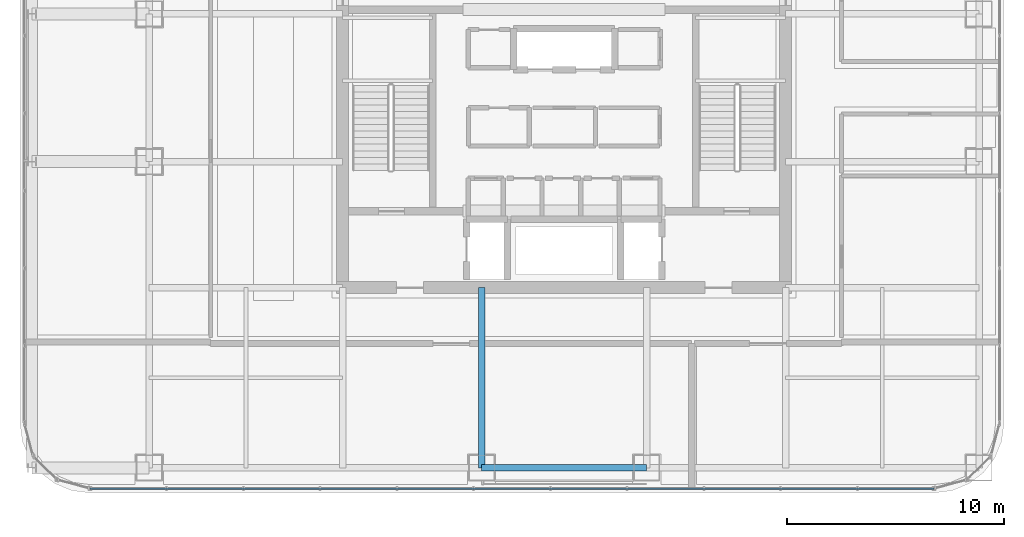
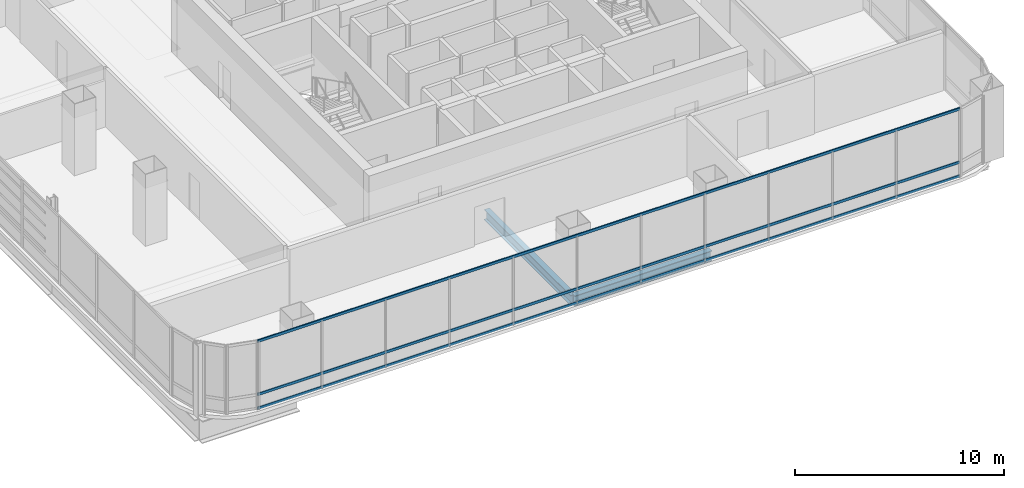
# One storey, part 8 of 42: 3 members, 2 beams, 1 element without a shape of its own.
"""IFC4 building model written with IfcOpenShell, lengths in metres."""

from ifc_helpers import new_model, si_unit, direction, frame, origin, origin_2d, place, context, subcontext, project, spatial, hollow_rectangle, i_section, extrude, material, material_profile, profile_set, type_object, element, aggregate, save


model = new_model("IFC4")

# Units and contexts
model_context = context("Model", 3, precision=1e-05, world=origin(), true_north=direction((0.0, 1.0)))
body_context = subcontext(model_context, "Body", "Model", "MODEL_VIEW")
ifc_project = project(units=[si_unit("LENGTHUNIT", "METRE"), si_unit("AREAUNIT", "SQUARE_METRE"), si_unit("VOLUMEUNIT", "CUBIC_METRE"), si_unit("PLANEANGLEUNIT", "RADIAN"), si_unit("MASSUNIT", "GRAM", prefix="KILO")], contexts=[model_context])

# Site, building, storey
site_placement = place(None, origin())
site = spatial("IfcSite", under=ifc_project, at=site_placement, CompositionType="ELEMENT")
building_placement = place(site_placement, origin())
building = spatial("IfcBuilding", under=site, at=building_placement, Name="Punatoya Terracotta Tower", CompositionType="ELEMENT")
storey_placement = place(building_placement, frame((0.0, 0.0, 304.800048828125)))
storey = spatial("IfcBuildingStorey", under=building, at=storey_placement, Name="L72", CompositionType="ELEMENT", Elevation=304.800048828125)

# Beams
ifc_material_1 = material(Name="Steel S355", Category="steel")
ifc_material_profile_1 = material_profile(ifc_material_1, i_section(OverallWidth=0.300048828125, OverallDepth=0.60009765625, WebThickness=0.015380859375, FlangeThickness=0.030029296875, FilletRadius=0.01806640625, at=origin_2d()))
ifc_profile_set_1 = profile_set([ifc_material_profile_1], Name="Steel S355")
beam_type = type_object("IfcBeamType", Name="BM-PRI-600", PredefinedType="BEAM", material=ifc_profile_set_1)
beam_1_placement = place(storey_placement, frame((-3.800048828125, -17.5, -0.5), z_axis=(1.0, 0.0, 0.0), x_axis=(0.0, 1.0, 0.0)))
element("IfcBeam", 1, at=beam_1_placement, inside=storey, type_object=beam_type, Name="BM-L72-RG-S2", PredefinedType="BEAM", context=body_context, shape_type="SweptSolid", body=[
    extrude(i_section(OverallWidth=0.300048828125, OverallDepth=0.60009765625, WebThickness=0.015380859375, FlangeThickness=0.030029296875, FilletRadius=0.01806640625, at=origin_2d()), origin(), (0.0, 0.0, 1.0), 7.60009765625),
])
beam_2_placement = place(storey_placement, frame((-3.800048828125, -17.5, -0.5), z_axis=(0.0, 1.0, 0.0), x_axis=(-1.0, 0.0, 0.0)))
element("IfcBeam", 2, at=beam_2_placement, inside=storey, type_object=beam_type, Name="BM-L72-PR-S2", PredefinedType="BEAM", context=body_context, shape_type="SweptSolid", body=[
    extrude(i_section(OverallWidth=0.300048828125, OverallDepth=0.60009765625, WebThickness=0.015380859375, FlangeThickness=0.030029296875, FilletRadius=0.01806640625, at=origin_2d()), origin(), (0.0, 0.0, 1.0), 8.300048828125),
])

# Curtain wall, members
ifc_material_2 = material(Name="Aluminium 6063-T6 + Double Low-E Glass", Category="aluminium")
curtain_wall_type = type_object("IfcCurtainWallType", Name="CW-M3", PredefinedType="NOTDEFINED", material=ifc_material_2)
curtain_wall_placement = place(storey_placement, origin())
curtain_wall = element("IfcCurtainWall", 3, at=curtain_wall_placement, inside=storey, type_object=curtain_wall_type, Name="L72 Curtain Wall CW-L72-S01-1", PredefinedType="NOTDEFINED")
ifc_material_3 = material(Name="Aluminium 6063-T6", Category="aluminium")
ifc_material_profile_2 = material_profile(ifc_material_3, hollow_rectangle(XDim=0.068115234375, YDim=0.14990234375, WallThickness=0.00390625, at=origin_2d()))
ifc_profile_set_2 = profile_set([ifc_material_profile_2], Name="Aluminium 6063-T6")
member_type = type_object("IfcMemberType", Name="CW-TRN-TYP", PredefinedType="USERDEFINED", material=ifc_profile_set_2)
member_1_placement = place(storey_placement, frame((-21.8369140625, -18.449951171875, 0.0400390625), z_axis=(1.0, 0.0, 0.0), x_axis=(0.0, 1.0, 0.0)))
member_1 = element("IfcMember", 4, at=member_1_placement, type_object=member_type, Name="CW-L72-S01-1 Transom 1", ObjectType="TRANSOM", PredefinedType="USERDEFINED", context=body_context, shape_type="SweptSolid", body=[
    extrude(hollow_rectangle(XDim=0.068115234375, YDim=0.14990234375, WallThickness=0.00390625, at=origin_2d()), origin(), (0.0, 0.0, 1.0), 38.873779296875),
])
member_2_placement = place(storey_placement, frame((-21.8369140625, -18.449951171875, 0.849853515625), z_axis=(1.0, 0.0, 0.0), x_axis=(0.0, 1.0, 0.0)))
member_2 = element("IfcMember", 5, at=member_2_placement, type_object=member_type, Name="CW-L72-S01-1 Transom 2", ObjectType="TRANSOM", PredefinedType="USERDEFINED", context=body_context, shape_type="SweptSolid", body=[
    extrude(hollow_rectangle(XDim=0.068115234375, YDim=0.14990234375, WallThickness=0.00390625, at=origin_2d()), origin(), (0.0, 0.0, 1.0), 38.873779296875),
])
member_3_placement = place(storey_placement, frame((-21.8369140625, -18.449951171875, 3.9599609375), z_axis=(1.0, 0.0, 0.0), x_axis=(0.0, 1.0, 0.0)))
member_3 = element("IfcMember", 6, at=member_3_placement, type_object=member_type, Name="CW-L72-S01-1 Transom 3", ObjectType="TRANSOM", PredefinedType="USERDEFINED", context=body_context, shape_type="SweptSolid", body=[
    extrude(hollow_rectangle(XDim=0.068115234375, YDim=0.14990234375, WallThickness=0.00390625, at=origin_2d()), origin(), (0.0, 0.0, 1.0), 38.873779296875),
])
aggregate(curtain_wall, [member_1, member_2, member_3])

save(model, "model.ifc")
